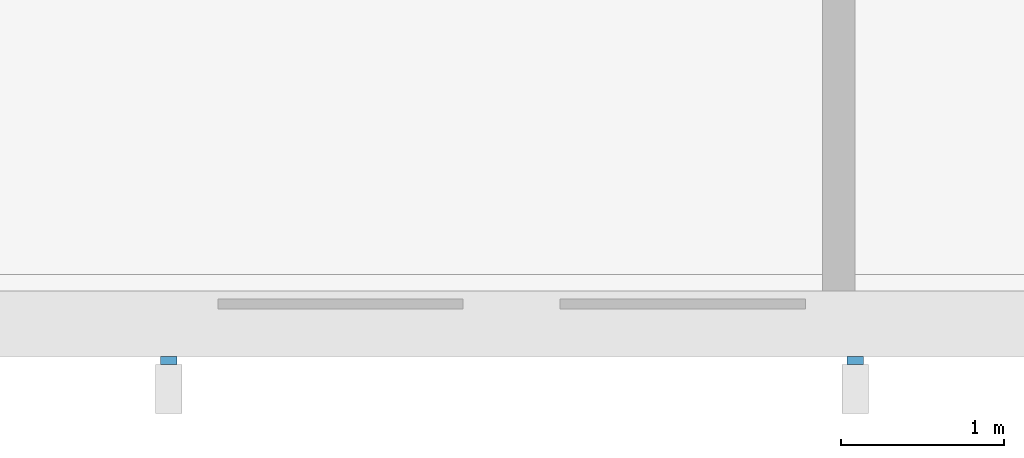
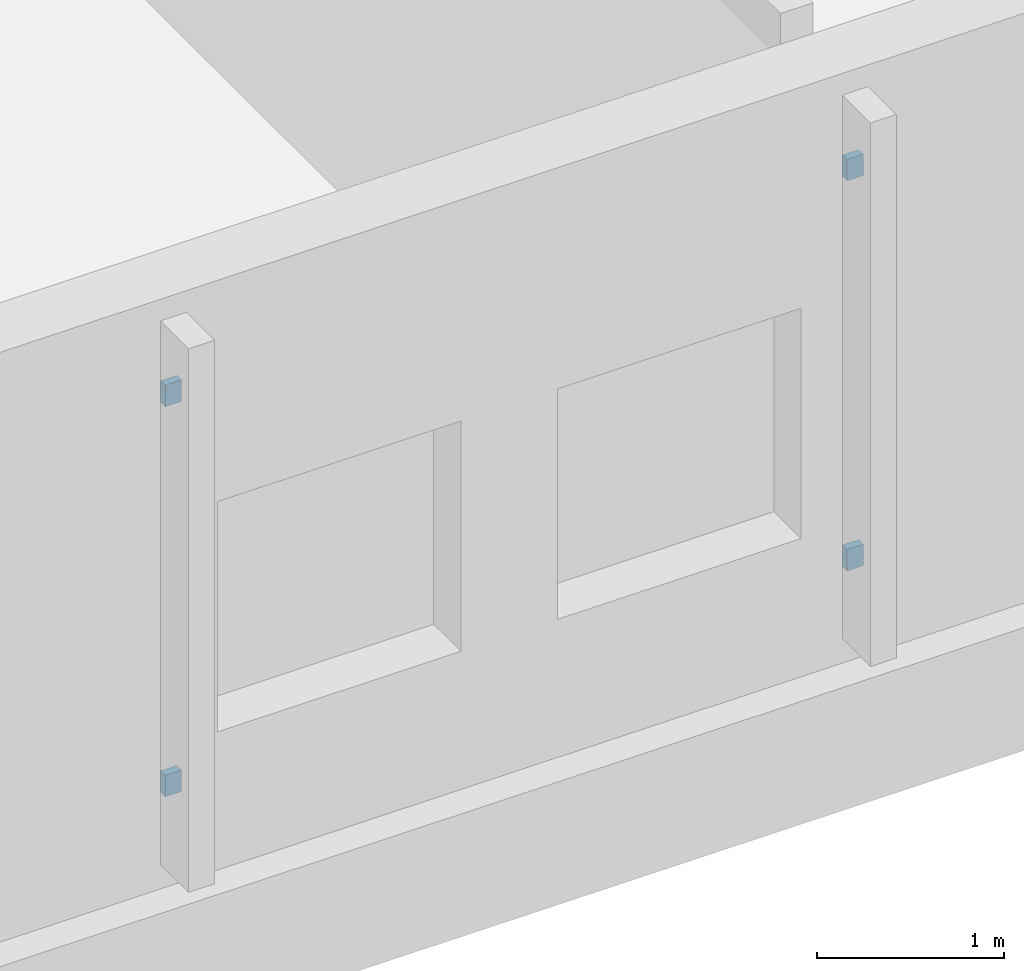
# One storey, part 76 of 119: 4 discrete accessories.
"""IFC4 building model written with IfcOpenShell, lengths in metres."""

from ifc_helpers import new_model, si_unit, direction, frame, origin, origin_2d, place, context, subcontext, project, spatial, rectangle, extrude, material, layer, layer_set, type_object, element, save


model = new_model("IFC4")

# Units and contexts
model_context = context("Model", 3, precision=1e-05, world=origin(), true_north=direction((0.0, 1.0)))
body_context = subcontext(model_context, "Body", "Model", "MODEL_VIEW")
ifc_project = project(units=[si_unit("LENGTHUNIT", "METRE"), si_unit("AREAUNIT", "SQUARE_METRE"), si_unit("VOLUMEUNIT", "CUBIC_METRE"), si_unit("PLANEANGLEUNIT", "RADIAN"), si_unit("MASSUNIT", "GRAM", prefix="KILO")], contexts=[model_context])

# Site, building, storey
site_placement = place(None, origin())
site = spatial("IfcSite", under=ifc_project, at=site_placement, CompositionType="ELEMENT")
building_placement = place(site_placement, origin())
building = spatial("IfcBuilding", under=site, at=building_placement, Name="Larchfold Concert Hall", CompositionType="ELEMENT")
storey_placement = place(building_placement, frame((0.0, 0.0, 4.800048828125)))
storey = spatial("IfcBuildingStorey", under=building, at=storey_placement, Name="L01", CompositionType="ELEMENT", Elevation=4.800048828125)

# Discrete accessories
ifc_material = material(Name="Steel S355 galvanised bracket", Category="steel")
ifc_layer = layer(ifc_material, 0.10009765625)
ifc_layer_set = layer_set([ifc_layer], Name="Steel S355 galvanised bracket")
discrete_accessory_type = type_object("IfcDiscreteAccessoryType", Name="Fin support bracket short", PredefinedType="BRACKET", material=ifc_layer_set)
for number, where, z_axis, x_axis, name in (
    (1, (27.89990234375, 0.375, 0.6298828125), (0.0, 0.0, 1.0), (0.0, -1.0, 0.0), "Fin bracket FN-L01-028-1"),
    (2, (27.89990234375, 0.375, 3.169921875), (0.0, 0.0, 1.0), (0.0, -1.0, 0.0), "Fin bracket FN-L01-028-2"),
    (3, (32.10009765625, 0.375, 0.6298828125), (0.0, 0.0, 1.0), (0.0, -1.0, 0.0), "Fin bracket FN-L01-029-1"),
    (4, (32.10009765625, 0.375, 3.169921875), (0.0, 0.0, 1.0), (0.0, -1.0, 0.0), "Fin bracket FN-L01-029-2"),
):
    element("IfcDiscreteAccessory", number, at=place(storey_placement, frame(where, z_axis=z_axis, x_axis=x_axis)), inside=storey, type_object=discrete_accessory_type, Name=name, PredefinedType="BRACKET", context=body_context, shape_type="SweptSolid", body=[
        extrude(rectangle(XDim=0.050048828125, YDim=0.10009765625, at=origin_2d()), origin(), (0.0, 0.0, 1.0), 0.139892578125),
    ])

save(model, "model.ifc")
